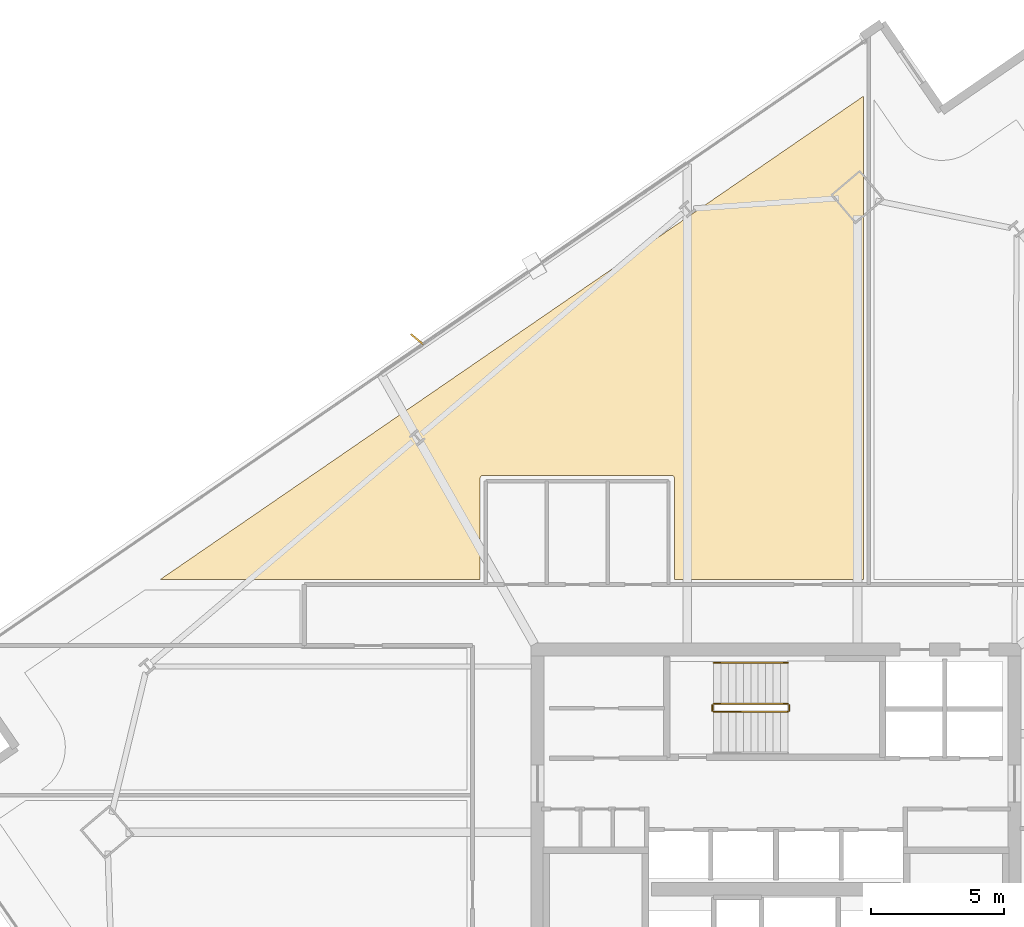
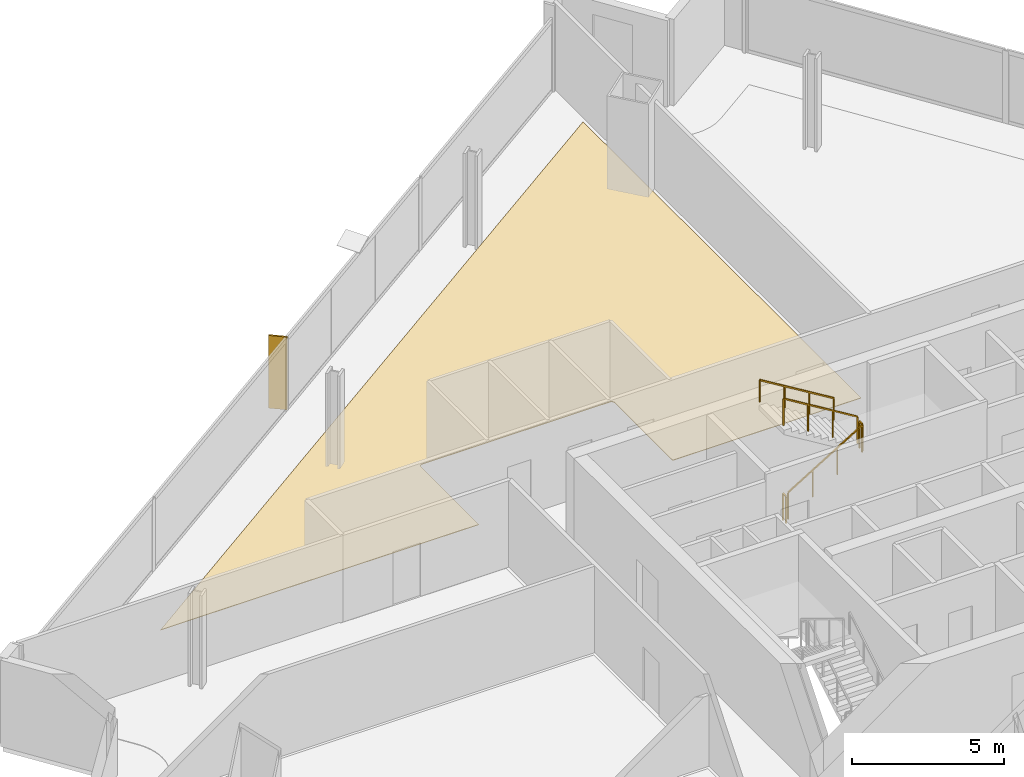
# One storey, part 28 of 29: 5 railings, 1 covering, 1 shading device.
"""IFC4 building model written with IfcOpenShell, lengths in metres."""

import ifcopenshell
import ifcopenshell.guid

model = None  # the IFC model being written
_history = None  # IfcOwnerHistory: only IFC2X3 demands one
_inside = {}  # id of a spatial element -> (the spatial element, [elements in it])
_under = {}  # id of a project, library or spatial element -> (it, [spatial elements below it])
_declared = {}  # id of a project -> (the project, [libraries it declares])
_typed = {}  # id of a type object -> (the type object, [elements of that type])
_made_of = {}  # id of a material, layer set ... -> (it, [elements and type objects made of it])


def new_model(schema):
    """Start an empty IFC model of exactly this schema.

    Asked for "IFC4X3", IfcOpenShell would pick the latest addendum, in which some entities
    have other attributes; the version numbers below select the first issue.
    IFC2X3 requires an IfcOwnerHistory on every rooted entity: one is made here for all.
    """
    global model, _history
    if schema == "IFC4X3":
        model = ifcopenshell.file(schema_version=(4, 3, 0, 0))
    else:
        model = ifcopenshell.file(schema=schema)
    _inside.clear()
    _under.clear()
    _declared.clear()
    _typed.clear()
    _made_of.clear()
    _history = None
    if model.schema == "IFC2X3":
        org = make("IfcOrganization", Name="unknown")
        user = make(
            "IfcPersonAndOrganization",
            ThePerson=make("IfcPerson", FamilyName="unknown"),
            TheOrganization=org,
        )
        app = make(
            "IfcApplication",
            ApplicationDeveloper=org,
            Version="unknown",
            ApplicationFullName="unknown",
            ApplicationIdentifier="unknown",
        )
        _history = make(
            "IfcOwnerHistory",
            OwningUser=user,
            OwningApplication=app,
            ChangeAction="ADDED",
            CreationDate=0,
        )
    return model


def make(cls, **values):
    """One entity of the class cls with the attributes given. An attribute that is None is left unset."""
    return model.create_entity(
        cls, **{name: value for name, value in values.items() if value is not None}
    )


def rooted(cls, **values):
    """An entity with a GlobalId (a new one), such as an element, a storey or a relation."""
    return make(cls, GlobalId=ifcopenshell.guid.new(), OwnerHistory=_history, **values)


def si_unit(unit_type, name, prefix=None):
    """IfcSIUnit, for example si_unit("LENGTHUNIT", "METRE", prefix="MILLI")."""
    return make("IfcSIUnit", UnitType=unit_type, Prefix=prefix, Name=name)


def assignment(units):
    """IfcUnitAssignment: the units of a project."""
    return None if units is None else make("IfcUnitAssignment", Units=units)


def point(xyz):
    """IfcCartesianPoint."""
    return None if xyz is None else make("IfcCartesianPoint", Coordinates=xyz)


def direction(xyz):
    """IfcDirection."""
    return None if xyz is None else make("IfcDirection", DirectionRatios=xyz)


def frame(location, z_axis=None, x_axis=None):
    """IfcAxis2Placement3D, a coordinate frame: its origin and axes. An axis left out is left unset."""
    return make(
        "IfcAxis2Placement3D",
        Location=point(location),
        Axis=direction(z_axis),
        RefDirection=direction(x_axis),
    )


def frame_2d(location, x_axis=None):
    """IfcAxis2Placement2D, a coordinate frame in the plane: its origin and x axis."""
    return make(
        "IfcAxis2Placement2D", Location=point(location), RefDirection=direction(x_axis)
    )


def origin():
    """The frame at (0, 0, 0) with its axes left unset."""
    return frame((0.0, 0.0, 0.0))


def origin_2d():
    """The frame at (0, 0) in the plane with its x axis left unset."""
    return frame_2d((0.0, 0.0))


def place(relative_to, where):
    """IfcLocalPlacement: puts the frame where relative to a parent placement (None: the world)."""
    return make(
        "IfcLocalPlacement", PlacementRelTo=relative_to, RelativePlacement=where
    )


def context(
    kind, dimensions, precision=None, world=None, true_north=None, identifier=None
):
    """IfcGeometricRepresentationContext, for example the 3D "Model" context."""
    return make(
        "IfcGeometricRepresentationContext",
        ContextIdentifier=identifier,
        ContextType=kind,
        CoordinateSpaceDimension=dimensions,
        Precision=precision,
        WorldCoordinateSystem=world,
        TrueNorth=true_north,
    )


def subcontext(parent, identifier, kind, view, scale=None):
    """IfcGeometricRepresentationSubContext, for example "Body" below "Model"."""
    return make(
        "IfcGeometricRepresentationSubContext",
        ContextIdentifier=identifier,
        ContextType=kind,
        ParentContext=parent,
        TargetScale=scale,
        TargetView=view,
    )


def project(units=None, contexts=None):
    """IfcProject with its units and contexts."""
    return rooted(
        "IfcProject",
        Name="project",
        RepresentationContexts=contexts,
        UnitsInContext=assignment(units),
    )


def spatial(cls, under=None, at=None, **own):
    """A site, building, storey or space (cls), placed at a placement, below another one or the project."""
    s = rooted(cls, ObjectPlacement=at, **own)
    if under is not None:
        _under.setdefault(under.id(), (under, []))[1].append(s)
    return s


def polyline(points):
    """IfcPolyline through the points."""
    return make("IfcPolyline", Points=[point(p) for p in points])


def profile(cls, at=None, kind="AREA", **sizes):
    """A parametric profile (cls). Its sizes go by their IFC names, for example OverallWidth=200.0."""
    return make(cls, ProfileType=kind, Position=at, **sizes)


def rectangle(**sizes):
    """IfcRectangleProfileDef."""
    return profile("IfcRectangleProfileDef", **sizes)


def outline(outer, holes=None, kind="AREA"):
    """IfcArbitraryClosedProfileDef: a profile drawn as a closed curve; with holes, ...WithVoids."""
    if holes is None:
        return make("IfcArbitraryClosedProfileDef", ProfileType=kind, OuterCurve=outer)
    return make(
        "IfcArbitraryProfileDefWithVoids",
        ProfileType=kind,
        OuterCurve=outer,
        InnerCurves=holes,
    )


def extrude(swept, where, along, depth):
    """IfcExtrudedAreaSolid: the profile swept, set in the frame where, extruded along a direction by depth."""
    return make(
        "IfcExtrudedAreaSolid",
        SweptArea=swept,
        Position=where,
        ExtrudedDirection=direction(along),
        Depth=depth,
    )


def shape(context_of_items, identifier, shape_type, items):
    """IfcShapeRepresentation: the items that make up one representation, for example the "Body"."""
    return make(
        "IfcShapeRepresentation",
        ContextOfItems=context_of_items,
        RepresentationIdentifier=identifier,
        RepresentationType=shape_type,
        Items=items,
    )


def source(mapping_origin, context_of_items, identifier, shape_type, items):
    """IfcRepresentationMap: a shape defined once, which mapped items show again and again."""
    return make(
        "IfcRepresentationMap",
        MappingOrigin=mapping_origin,
        MappedRepresentation=shape(context_of_items, identifier, shape_type, items),
    )


def transform(
    local_origin,
    x_axis=None,
    y_axis=None,
    z_axis=None,
    scale=None,
    scale2=None,
    scale3=None,
    uniform=True,
):
    """IfcCartesianTransformationOperator3D, or its non-uniform kind. x_axis, y_axis, z_axis: its Axis1, 2, 3."""
    if uniform:
        return make(
            "IfcCartesianTransformationOperator3D",
            Axis1=direction(x_axis),
            Axis2=direction(y_axis),
            LocalOrigin=point(local_origin),
            Scale=scale,
            Axis3=direction(z_axis),
        )
    return make(
        "IfcCartesianTransformationOperator3DnonUniform",
        Axis1=direction(x_axis),
        Axis2=direction(y_axis),
        LocalOrigin=point(local_origin),
        Scale=scale,
        Axis3=direction(z_axis),
        Scale2=scale2,
        Scale3=scale3,
    )


def mapped(mapping_source, mapping_target):
    """IfcMappedItem: shows the shape of a source again, moved by a transform."""
    return make(
        "IfcMappedItem", MappingSource=mapping_source, MappingTarget=mapping_target
    )


def material(Name=None, Category=None):
    """IfcMaterial."""
    return make("IfcMaterial", Name=Name, Category=Category)


def layer(
    of_material, thickness, ventilated=None, Name=None, Category=None, Priority=None
):
    """IfcMaterialLayer: one layer of a wall or slab, of a material (None: an air gap)."""
    return make(
        "IfcMaterialLayer",
        Material=of_material,
        LayerThickness=thickness,
        IsVentilated=ventilated,
        Name=Name,
        Category=Category,
        Priority=Priority,
    )


def layer_set(layers, Name=None):
    """IfcMaterialLayerSet."""
    return make("IfcMaterialLayerSet", MaterialLayers=layers, LayerSetName=Name)


def made_of(thing, what):
    """Note that an element or type object is made of a material, layer set ...; save() writes the relation."""
    if what is not None:
        _made_of.setdefault(what.id(), (what, []))[1].append(thing)
    return thing


def type_object(cls, material=None, **own):
    """A type object (cls), such as IfcWallType, which elements share."""
    return made_of(rooted(cls, **own), material)


def element(
    cls,
    number,
    at=None,
    inside=None,
    cuts=None,
    type_object=None,
    material=None,
    context=None,
    identifier="Body",
    shape_type=None,
    held_by="IfcProductDefinitionShape",
    body=None,
    shapes=None,
    **own,
):
    """One element of the class cls, such as IfcWall. Its Tag is "e" and its number.

    at: its placement. inside: the storey or other place that contains it. cuts: it is an
    opening in that element (IfcRelVoidsElement). A single representation is given by context,
    identifier, shape_type and body (its items); several are given by shapes. held_by: the class
    of the entity that holds the representations. save() writes the other relations.
    """
    e = rooted(cls, Tag="e%d" % number, ObjectPlacement=at, **own)
    if body is not None:
        shapes = [shape(context, identifier, shape_type, body)]
    if shapes is not None:
        e.Representation = make(held_by, Representations=shapes)
    if inside is not None:
        _inside.setdefault(inside.id(), (inside, []))[1].append(e)
    if cuts is not None:
        rooted(
            "IfcRelVoidsElement", RelatingBuildingElement=cuts, RelatedOpeningElement=e
        )
    if type_object is not None:
        _typed.setdefault(type_object.id(), (type_object, []))[1].append(e)
    return made_of(e, material)


def aggregate(whole, parts):
    """IfcRelAggregates: a whole, such as a stair, and the parts it consists of."""
    return rooted("IfcRelAggregates", RelatingObject=whole, RelatedObjects=parts)


def save(model, path):
    """Write the relations noted so far, then the file.

    IfcRelAggregates (storeys below a building ...), IfcRelContainedInSpatialStructure (elements
    in a storey), IfcRelDefinesByType, IfcRelAssociatesMaterial and IfcRelDeclares: one each for
    every whole, place, type object, material and project.
    """
    for whole, parts in _under.values():
        aggregate(whole, parts)
    for where, things in _inside.values():
        rooted(
            "IfcRelContainedInSpatialStructure",
            RelatedElements=things,
            RelatingStructure=where,
        )
    for kind, things in _typed.values():
        rooted("IfcRelDefinesByType", RelatedObjects=things, RelatingType=kind)
    for what, things in _made_of.values():
        rooted("IfcRelAssociatesMaterial", RelatedObjects=things, RelatingMaterial=what)
    for by, libraries in _declared.values():
        rooted("IfcRelDeclares", RelatingContext=by, RelatedDefinitions=libraries)
    model.write(path)


model = new_model("IFC4")

# Units and contexts
model_context = context("Model", 3, precision=1e-05, world=origin(), true_north=direction((0.0, 1.0)))
body_context = subcontext(model_context, "Body", "Model", "MODEL_VIEW")
ifc_project = project(units=[si_unit("LENGTHUNIT", "METRE"), si_unit("AREAUNIT", "SQUARE_METRE"), si_unit("VOLUMEUNIT", "CUBIC_METRE"), si_unit("PLANEANGLEUNIT", "RADIAN"), si_unit("MASSUNIT", "GRAM", prefix="KILO")], contexts=[model_context])

# Site, building, storey
site_placement = place(None, origin())
site = spatial("IfcSite", under=ifc_project, at=site_placement, CompositionType="ELEMENT")
building_placement = place(site_placement, origin())
building = spatial("IfcBuilding", under=site, at=building_placement, Name="Haldenkirk Collegiate Tower", CompositionType="ELEMENT")
storey_placement = place(building_placement, frame((0.0, 0.0, 144.449951171875)))
storey = spatial("IfcBuildingStorey", under=building, at=storey_placement, Name="L35", CompositionType="ELEMENT", Elevation=144.449951171875)

# Covering
ifc_material_1 = material(Name="Engineered collegiate oak acoustic flooring", Category="wood")
ifc_layer_1 = layer(ifc_material_1, 0.02197265625)
ifc_layer_set_1 = layer_set([ifc_layer_1], Name="Engineered collegiate oak acoustic flooring")
covering_type = type_object("IfcCoveringType", Name="COV-FLOOR-TIMBER", PredefinedType="FLOORING", material=ifc_layer_set_1)
covering_placement = place(storey_placement, origin())
element("IfcCovering", 1, at=covering_placement, inside=storey, type_object=covering_type, Name="L35 academic room finish 05", PredefinedType="FLOORING", context=body_context, shape_type="SweptSolid", body=[
    extrude(outline(polyline([(32.169921875, 40.449951171875), (32.16943359375, 40.4619140625), (32.167724609375, 40.473388671875), (32.164794921875, 40.48486328125), (32.160888671875, 40.495849609375), (32.15576171875, 40.506591796875), (32.14990234375, 40.5166015625), (32.142822265625, 40.526123046875), (32.135009765625, 40.534912109375), (32.126220703125, 40.542724609375), (32.11669921875, 40.5498046875), (32.106689453125, 40.555908203125), (32.095947265625, 40.560791015625), (32.084716796875, 40.564697265625), (32.073486328125, 40.567626953125), (32.061767578125, 40.5693359375), (32.050048828125, 40.570068359375), (24.949951171875, 40.570068359375), (24.938232421875, 40.5693359375), (24.926513671875, 40.567626953125), (24.915283203125, 40.564697265625), (24.904052734375, 40.560791015625), (24.893310546875, 40.555908203125), (24.88330078125, 40.5498046875), (24.873779296875, 40.542724609375), (24.864990234375, 40.534912109375), (24.857177734375, 40.526123046875), (24.85009765625, 40.5166015625), (24.84423828125, 40.506591796875), (24.839111328125, 40.495849609375), (24.835205078125, 40.48486328125), (24.832275390625, 40.473388671875), (24.83056640625, 40.4619140625), (24.830078125, 40.449951171875), (24.830078125, 36.64990234375), (12.778076171875, 36.64990234375), (39.300048828125, 54.8779296875), (39.300048828125, 36.64990234375), (32.169921875, 36.64990234375), (32.169921875, 40.449951171875)])), origin(), (0.0, 0.0, 1.0), 0.02197265625),
])

# Railings
ifc_material_2 = material(Name="Painted architectural tubular steel", Category="steel")
railing_type_1 = type_object("IfcRailingType", Name="RLG-STAIR-GUARD-1100", PredefinedType="BALUSTRADE", material=ifc_material_2)
railing_1_placement = place(storey_placement, frame((33.64990234375, 31.64990234375, 0.17041015625)))
element("IfcRailing", 2, at=railing_1_placement, inside=storey, type_object=railing_type_1, Name="L35 ST-3 stair guard 1", PredefinedType="BALUSTRADE", context=body_context, shape_type="SweptSolid", body=[
    extrude(rectangle(XDim=0.048095703125, YDim=0.048095703125, at=origin_2d()), frame((0.0, 0.0, 1.076171875), z_axis=(0.854169791009, 0.0, 0.51999420009), x_axis=(0.0, 1.0, 0.0)), (0.0, 0.0, 1.0), 3.278076171875),
    extrude(rectangle(XDim=0.0419921875, YDim=0.0419921875, at=origin_2d()), origin(), (0.0, 0.0, 1.0), 1.052001953125),
    extrude(rectangle(XDim=0.0419921875, YDim=0.0419921875, at=origin_2d()), frame((0.933349609375, 0.0, 0.568115234375)), (0.0, 0.0, 1.0), 1.052001953125),
    extrude(rectangle(XDim=0.0419921875, YDim=0.0419921875, at=origin_2d()), frame((1.86669921875, 0.0, 1.136474609375)), (0.0, 0.0, 1.0), 1.052001953125),
    extrude(rectangle(XDim=0.0419921875, YDim=0.0419921875, at=origin_2d()), frame((2.800048828125, 0.0, 1.70458984375)), (0.0, 0.0, 1.0), 1.052001953125),
])
railing_2_placement = place(storey_placement, frame((36.5, 31.699951171875, 1.875)))
element("IfcRailing", 3, at=railing_2_placement, inside=storey, type_object=railing_type_1, Name="L35 ST-3 stair guard 2", PredefinedType="BALUSTRADE", context=body_context, shape_type="SweptSolid", body=[
    extrude(rectangle(XDim=0.048095703125, YDim=0.048095703125, at=origin_2d()), frame((0.0, 0.0, 1.076171875), z_axis=(0.0, 1.0, 0.0), x_axis=(-1.0, 0.0, 0.0)), (0.0, 0.0, 1.0), 0.199951171875),
    extrude(rectangle(XDim=0.0419921875, YDim=0.0419921875, at=origin_2d()), origin(), (0.0, 0.0, 1.0), 1.052001953125),
    extrude(rectangle(XDim=0.0419921875, YDim=0.0419921875, at=origin_2d()), frame((0.0, 0.199951171875, 0.0)), (0.0, 0.0, 1.0), 1.052001953125),
])
railing_3_placement = place(storey_placement, frame((36.449951171875, 31.949951171875, 2.04541015625)))
element("IfcRailing", 4, at=railing_3_placement, inside=storey, type_object=railing_type_1, Name="L35 ST-3 stair guard 3", PredefinedType="BALUSTRADE", context=body_context, shape_type="SweptSolid", body=[
    extrude(rectangle(XDim=0.048095703125, YDim=0.048095703125, at=origin_2d()), frame((0.0, 0.0, 1.076171875), z_axis=(-0.854169791009, 0.0, 0.51999420009), x_axis=(0.0, -1.0, 0.0)), (0.0, 0.0, 1.0), 3.278076171875),
    extrude(rectangle(XDim=0.0419921875, YDim=0.0419921875, at=origin_2d()), origin(), (0.0, 0.0, 1.0), 1.052001953125),
    extrude(rectangle(XDim=0.0419921875, YDim=0.0419921875, at=origin_2d()), frame((-0.933349609375, 0.0, 0.568115234375)), (0.0, 0.0, 1.0), 1.052001953125),
    extrude(rectangle(XDim=0.0419921875, YDim=0.0419921875, at=origin_2d()), frame((-1.86669921875, 0.0, 1.136474609375)), (0.0, 0.0, 1.0), 1.052001953125),
    extrude(rectangle(XDim=0.0419921875, YDim=0.0419921875, at=origin_2d()), frame((-2.800048828125, 0.0, 1.70458984375)), (0.0, 0.0, 1.0), 1.052001953125),
])
railing_4_placement = place(storey_placement, frame((33.60009765625, 31.699951171875, 0.0)))
element("IfcRailing", 5, at=railing_4_placement, inside=storey, type_object=railing_type_1, Name="L35 ST-3 stair guard 4", PredefinedType="BALUSTRADE", context=body_context, shape_type="SweptSolid", body=[
    extrude(rectangle(XDim=0.048095703125, YDim=0.048095703125, at=origin_2d()), frame((0.0, 0.0, 1.076171875), z_axis=(0.0, 1.0, 0.0), x_axis=(-1.0, 0.0, 0.0)), (0.0, 0.0, 1.0), 0.199951171875),
    extrude(rectangle(XDim=0.0419921875, YDim=0.0419921875, at=origin_2d()), origin(), (0.0, 0.0, 1.0), 1.052001953125),
    extrude(rectangle(XDim=0.0419921875, YDim=0.0419921875, at=origin_2d()), frame((0.0, 0.199951171875, 0.0)), (0.0, 0.0, 1.0), 1.052001953125),
])
railing_type_2 = type_object("IfcRailingType", Name="RLG-STAIR-HANDRAIL-900", PredefinedType="HANDRAIL", material=ifc_material_2)
railing_5_placement = place(storey_placement, frame((36.449951171875, 33.5, 2.04541015625)))
element("IfcRailing", 6, at=railing_5_placement, inside=storey, type_object=railing_type_2, Name="L35 ST-3 stair handrail 2", PredefinedType="HANDRAIL", context=body_context, shape_type="SweptSolid", body=[
    extrude(rectangle(XDim=0.048095703125, YDim=0.048095703125, at=origin_2d()), frame((0.0, 0.0, 0.8759765625), z_axis=(-0.854169791009, 0.0, 0.51999420009), x_axis=(0.0, -1.0, 0.0)), (0.0, 0.0, 1.0), 3.278076171875),
    extrude(rectangle(XDim=0.0419921875, YDim=0.0419921875, at=origin_2d()), origin(), (0.0, 0.0, 1.0), 0.851806640625),
    extrude(rectangle(XDim=0.0419921875, YDim=0.0419921875, at=origin_2d()), frame((-0.933349609375, 0.0, 0.568115234375)), (0.0, 0.0, 1.0), 0.851806640625),
    extrude(rectangle(XDim=0.0419921875, YDim=0.0419921875, at=origin_2d()), frame((-1.86669921875, 0.0, 1.136474609375)), (0.0, 0.0, 1.0), 0.851806640625),
    extrude(rectangle(XDim=0.0419921875, YDim=0.0419921875, at=origin_2d()), frame((-2.800048828125, 0.0, 1.70458984375)), (0.0, 0.0, 1.0), 0.851806640625),
])

# Shading device
ifc_material_3 = material(Name="Anodised architectural bronze aluminium", Category="aluminium")
ifc_layer_2 = layer(ifc_material_3, 0.06494140625)
ifc_layer_set_2 = layer_set([ifc_layer_2], Name="Anodised architectural bronze aluminium")
shading_device_type = type_object("IfcShadingDeviceType", Name="SHD-FIN-BRONZE-620", PredefinedType="USERDEFINED", material=ifc_layer_set_2)
shared_shape = source(origin(), body_context, "Body", "SweptSolid", [
    extrude(rectangle(XDim=0.6201171875, YDim=0.06494140625, at=origin_2d()), origin(), (0.0, 0.0, 1.0), 2.910888671875),
])
shading_device_placement = place(storey_placement, frame((22.45458984375, 45.708984375, 0.0), z_axis=(0.0, 0.0, 1.0), x_axis=(-0.771624583388, 0.636078220278, 0.0)))
element("IfcShadingDevice", 7, at=shading_device_placement, inside=storey, type_object=shading_device_type, Name="L35 folded bronze solar fin 1", ObjectType="FIN", PredefinedType="USERDEFINED", context=body_context, shape_type="MappedRepresentation", body=[
    mapped(shared_shape, transform((0.0, 0.0, 0.0), x_axis=(1.0, 0.0, 0.0), y_axis=(0.0, 1.0, 0.0), z_axis=(0.0, 0.0, 1.0), scale=1.0)),
])

save(model, "model.ifc")
